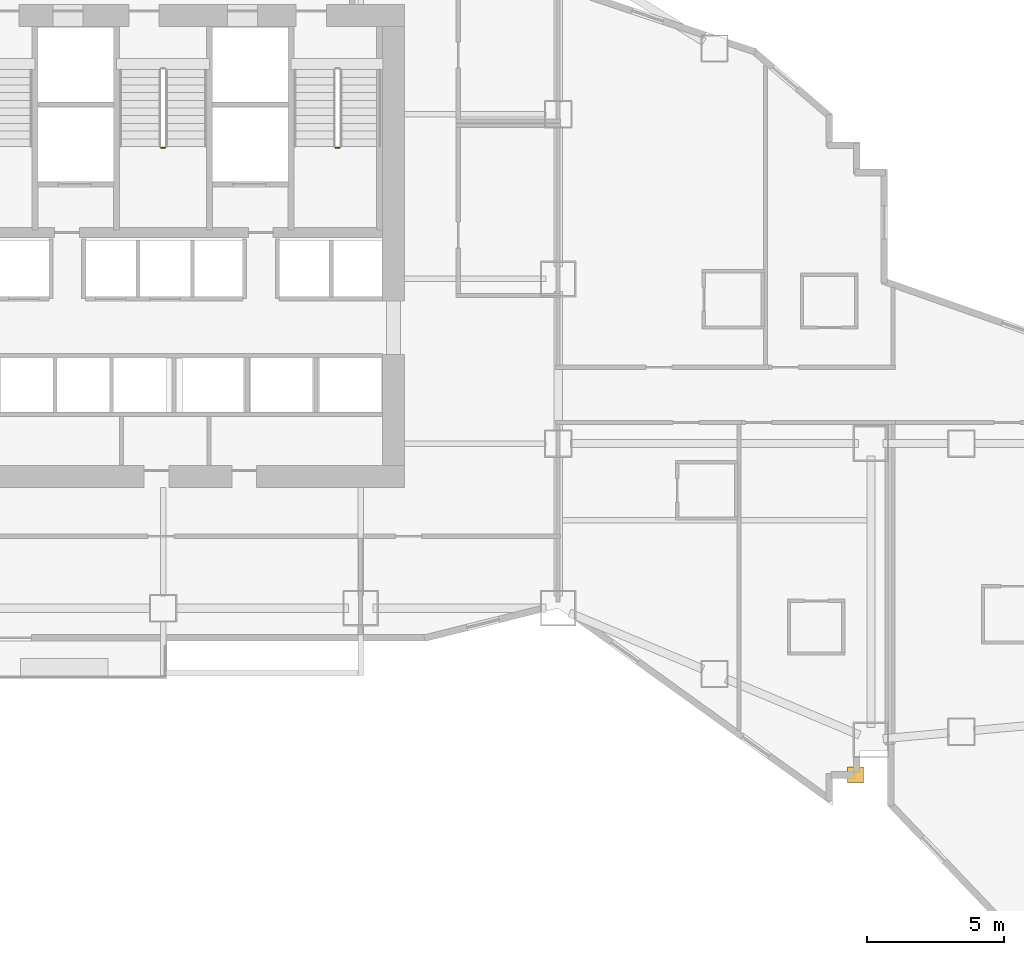
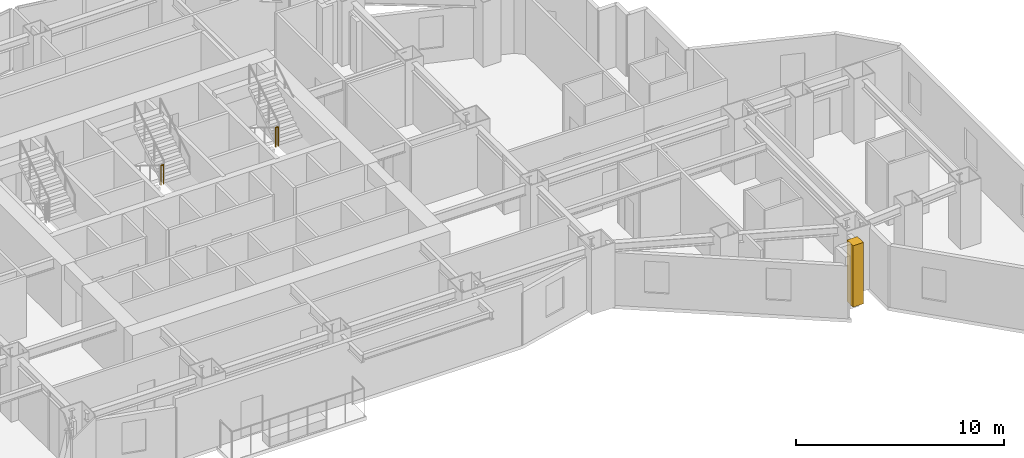
# One storey, part 15 of 17: 2 railings, 1 covering.
"""IFC4 building model written with IfcOpenShell, lengths in metres."""

from ifc_helpers import new_model, si_unit, direction, frame, origin, origin_2d, place, context, subcontext, project, spatial, rectangle, circle, extrude, material, layer, layer_set, type_object, element, save


model = new_model("IFC4")

# Units and contexts
model_context = context("Model", 3, precision=1e-05, world=origin(), true_north=direction((0.0, 1.0)))
body_context = subcontext(model_context, "Body", "Model", "MODEL_VIEW")
ifc_project = project(units=[si_unit("LENGTHUNIT", "METRE"), si_unit("AREAUNIT", "SQUARE_METRE"), si_unit("VOLUMEUNIT", "CUBIC_METRE"), si_unit("PLANEANGLEUNIT", "RADIAN"), si_unit("MASSUNIT", "GRAM", prefix="KILO")], contexts=[model_context])

# Site, building, storey
site_placement = place(None, origin())
site = spatial("IfcSite", under=ifc_project, at=site_placement, CompositionType="ELEMENT")
building_placement = place(site_placement, origin())
building = spatial("IfcBuilding", under=site, at=building_placement, Name="Haolan Belvedere Tower", CompositionType="ELEMENT")
storey_placement = place(building_placement, frame((0.0, 0.0, 31.60009765625)))
storey = spatial("IfcBuildingStorey", under=building, at=storey_placement, Name="L07", CompositionType="ELEMENT", Elevation=31.60009765625)

# Covering
ifc_material_1 = material(Name="Pale champagne-silver anodised aluminium rainscreen cladding", Category="aluminium")
ifc_layer = layer(ifc_material_1, 0.034912109375, Name="Pale champagne-silver anodised aluminium rainscreen cladding")
ifc_layer_set = layer_set([ifc_layer], Name="Pale champagne-silver anodised aluminium rainscreen cladding")
covering_type = type_object("IfcCoveringType", Name="COV-CLAD-35", PredefinedType="CLADDING", material=ifc_layer_set)
covering_placement = place(storey_placement, frame((63.637451171875, 15.52001953125, -0.000244140625), z_axis=(0.0, 0.0, 1.0), x_axis=(1.0, 0.0, 0.0)))
element("IfcCovering", 1, at=covering_placement, inside=storey, type_object=covering_type, Name="L07 pale-metal serrated corner cladding trim 5", PredefinedType="CLADDING", context=body_context, shape_type="SweptSolid", body=[
    extrude(rectangle(XDim=0.580078125, YDim=0.580078125, at=origin_2d()), origin(), (0.0, 0.0, 1.0), 3.60009765625),
])

# Railings
ifc_material_2 = material(Name="Brushed stainless steel 304", Category="steel")
railing_type = type_object("IfcRailingType", Name="RL-STAIR-GRD-1150", PredefinedType="GUARDRAIL", material=ifc_material_2)
railing_1_placement = place(storey_placement, frame((38.330078125, 38.3798828125, 1.89990234375)))
element("IfcRailing", 2, at=railing_1_placement, inside=storey, type_object=railing_type, Name="L07 ST3 stair guard 2", PredefinedType="GUARDRAIL", context=body_context, shape_type="SweptSolid", body=[
    extrude(circle(Radius=0.02392578125, at=origin_2d()), frame((0.0, 0.0, 1.1259765625), z_axis=(1.0, 0.0, 0.0), x_axis=(0.0, 1.0, 0.0)), (0.0, 0.0, 1.0), 0.139892578125),
    extrude(circle(Radius=0.02099609375, at=origin_2d()), origin(), (0.0, 0.0, 1.0), 1.101806640625),
    extrude(circle(Radius=0.02099609375, at=origin_2d()), frame((0.139892578125, 0.0, 0.0)), (0.0, 0.0, 1.0), 1.101806640625),
])
railing_2_placement = place(storey_placement, frame((44.68994140625, 38.3798828125, 1.89990234375)))
element("IfcRailing", 3, at=railing_2_placement, inside=storey, type_object=railing_type, Name="L07 ST2 stair guard 2", PredefinedType="GUARDRAIL", context=body_context, shape_type="SweptSolid", body=[
    extrude(circle(Radius=0.02392578125, at=origin_2d()), frame((0.0, 0.0, 1.1259765625), z_axis=(1.0, 0.0, 0.0), x_axis=(0.0, 1.0, 0.0)), (0.0, 0.0, 1.0), 0.14013671875),
    extrude(circle(Radius=0.02099609375, at=origin_2d()), origin(), (0.0, 0.0, 1.0), 1.101806640625),
    extrude(circle(Radius=0.02099609375, at=origin_2d()), frame((0.14013671875, 0.0, 0.0)), (0.0, 0.0, 1.0), 1.101806640625),
])

save(model, "model.ifc")
